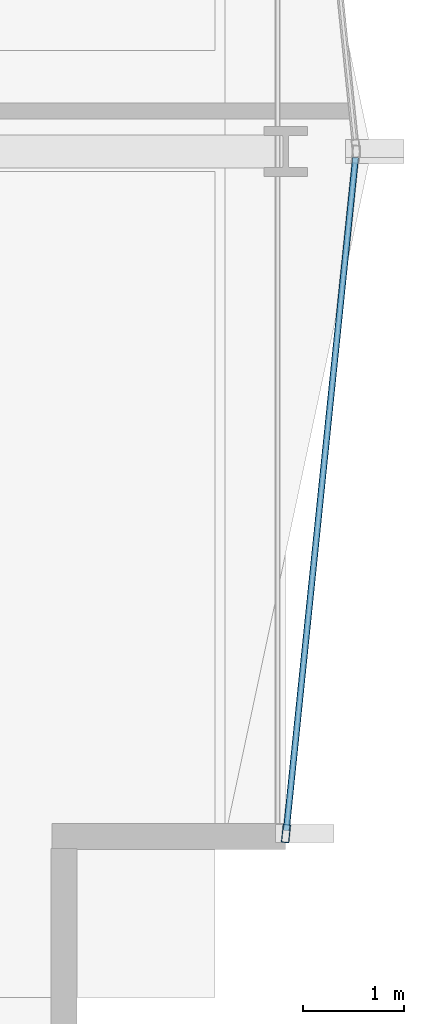
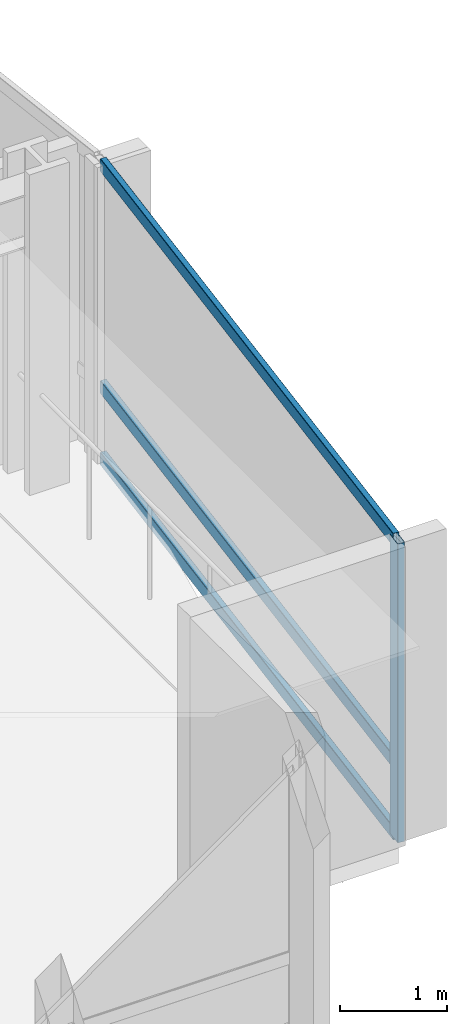
# One storey, part 13 of 34: 4 members, 1 element without a shape of its own.
"""IFC4 building model written with IfcOpenShell, lengths in metres."""

from ifc_helpers import new_model, si_unit, direction, frame, origin, origin_2d, place, context, subcontext, project, spatial, hollow_rectangle, extrude, material, layer, layer_set, material_profile, profile_set, type_object, element, aggregate, save


model = new_model("IFC4")

# Units and contexts
model_context = context("Model", 3, precision=1e-05, world=origin(), true_north=direction((0.0, 1.0)))
body_context = subcontext(model_context, "Body", "Model", "MODEL_VIEW")
ifc_project = project(units=[si_unit("LENGTHUNIT", "METRE"), si_unit("AREAUNIT", "SQUARE_METRE"), si_unit("VOLUMEUNIT", "CUBIC_METRE"), si_unit("PLANEANGLEUNIT", "RADIAN"), si_unit("MASSUNIT", "GRAM", prefix="KILO")], contexts=[model_context])

# Site, building, storey
site_placement = place(None, origin())
site = spatial("IfcSite", under=ifc_project, at=site_placement, CompositionType="ELEMENT")
building_placement = place(site_placement, origin())
building = spatial("IfcBuilding", under=site, at=building_placement, Name="Solvaryn Broadcast Tower", CompositionType="ELEMENT")
storey_placement = place(building_placement, frame((0.0, 0.0, 58.199951171875)))
storey = spatial("IfcBuildingStorey", under=building, at=storey_placement, Name="L13", CompositionType="ELEMENT", Elevation=58.199951171875)

# Curtain wall, members
ifc_material_1 = material(Name="Aluminium and Terracotta Unitised Curtain Wall", Category="masonry")
ifc_layer = layer(ifc_material_1, 0.199951171875)
ifc_layer_set = layer_set([ifc_layer], Name="CW-SYS2-LOWMID")
curtain_wall_type = type_object("IfcCurtainWallType", Name="CW-SYS2-LOWMID", PredefinedType="NOTDEFINED", material=ifc_layer_set)
curtain_wall_placement = place(storey_placement, origin())
curtain_wall = element("IfcCurtainWall", 1, at=curtain_wall_placement, inside=storey, type_object=curtain_wall_type, Name="L13 Curtain Wall ET2", PredefinedType="NOTDEFINED")
ifc_material_2 = material(Name="Anodised Aluminium 6063-T6", Category="aluminium")
ifc_material_profile_1 = material_profile(ifc_material_2, hollow_rectangle(XDim=0.074951171875, YDim=0.179931640625, WallThickness=0.00390625, InnerFilletRadius=0.00390625, OuterFilletRadius=0.008056640625, at=origin_2d()))
ifc_profile_set_1 = profile_set([ifc_material_profile_1], Name="Anodised Aluminium 6063-T6")
member_type_1 = type_object("IfcMemberType", Name="CW-MUL-180", PredefinedType="MULLION", material=ifc_profile_set_1)
member_1_placement = place(storey_placement, frame((63.003173828125, 11.229736328125, 0.0), z_axis=(0.0, 0.0, 1.0), x_axis=(0.99474329889, -0.10240004548, 0.0)))
member_1 = element("IfcMember", 2, at=member_1_placement, type_object=member_type_1, Name="CWS2 mullion 2", PredefinedType="MULLION", context=body_context, shape_type="SweptSolid", body=[
    extrude(hollow_rectangle(XDim=0.074951171875, YDim=0.179931640625, WallThickness=0.00390625, InnerFilletRadius=0.00390625, OuterFilletRadius=0.008056640625, at=origin_2d()), origin(), (0.0, 0.0, 1.0), 3.420166015625),
])
ifc_material_3 = material(Name="Anodised Aluminium 6063-T6", Category="aluminium")
ifc_material_profile_2 = material_profile(ifc_material_3, hollow_rectangle(XDim=0.06494140625, YDim=0.14990234375, WallThickness=0.00390625, InnerFilletRadius=0.00390625, OuterFilletRadius=0.008056640625, at=origin_2d()))
ifc_profile_set_2 = profile_set([ifc_material_profile_2], Name="Anodised Aluminium 6063-T6")
member_type_2 = type_object("IfcMemberType", Name="CW-TRN-150", PredefinedType="USERDEFINED", material=ifc_profile_set_2)
member_2_placement = place(storey_placement, frame((63.69384765625, 17.9404296875, 0.030029296875), z_axis=(-0.102404277363, -0.994742863245, 0.0), x_axis=(0.994742863245, -0.102404277363, 0.0)))
member_2 = element("IfcMember", 3, at=member_2_placement, type_object=member_type_2, Name="CWS2 transom 1.1", ObjectType="TRANSOM", PredefinedType="USERDEFINED", context=body_context, shape_type="SweptSolid", body=[
    extrude(hollow_rectangle(XDim=0.06494140625, YDim=0.14990234375, WallThickness=0.00390625, InnerFilletRadius=0.00390625, OuterFilletRadius=0.008056640625, at=origin_2d()), origin(), (0.0, 0.0, 1.0), 6.716064453125),
])
member_3_placement = place(storey_placement, frame((63.69384765625, 17.9404296875, 0.85009765625), z_axis=(-0.102404277363, -0.994742863245, 0.0), x_axis=(0.994742863245, -0.102404277363, 0.0)))
member_3 = element("IfcMember", 4, at=member_3_placement, type_object=member_type_2, Name="CWS2 transom 1.2", ObjectType="TRANSOM", PredefinedType="USERDEFINED", context=body_context, shape_type="SweptSolid", body=[
    extrude(hollow_rectangle(XDim=0.06494140625, YDim=0.14990234375, WallThickness=0.00390625, InnerFilletRadius=0.00390625, OuterFilletRadius=0.008056640625, at=origin_2d()), origin(), (0.0, 0.0, 1.0), 6.716064453125),
])
member_4_placement = place(storey_placement, frame((63.69384765625, 17.9404296875, 3.39013671875), z_axis=(-0.102404277363, -0.994742863245, 0.0), x_axis=(0.994742863245, -0.102404277363, 0.0)))
member_4 = element("IfcMember", 5, at=member_4_placement, type_object=member_type_2, Name="CWS2 transom 1.3", ObjectType="TRANSOM", PredefinedType="USERDEFINED", context=body_context, shape_type="SweptSolid", body=[
    extrude(hollow_rectangle(XDim=0.06494140625, YDim=0.14990234375, WallThickness=0.00390625, InnerFilletRadius=0.00390625, OuterFilletRadius=0.008056640625, at=origin_2d()), origin(), (0.0, 0.0, 1.0), 6.716064453125),
])
aggregate(curtain_wall, [member_1, member_2, member_3, member_4])

save(model, "model.ifc")
